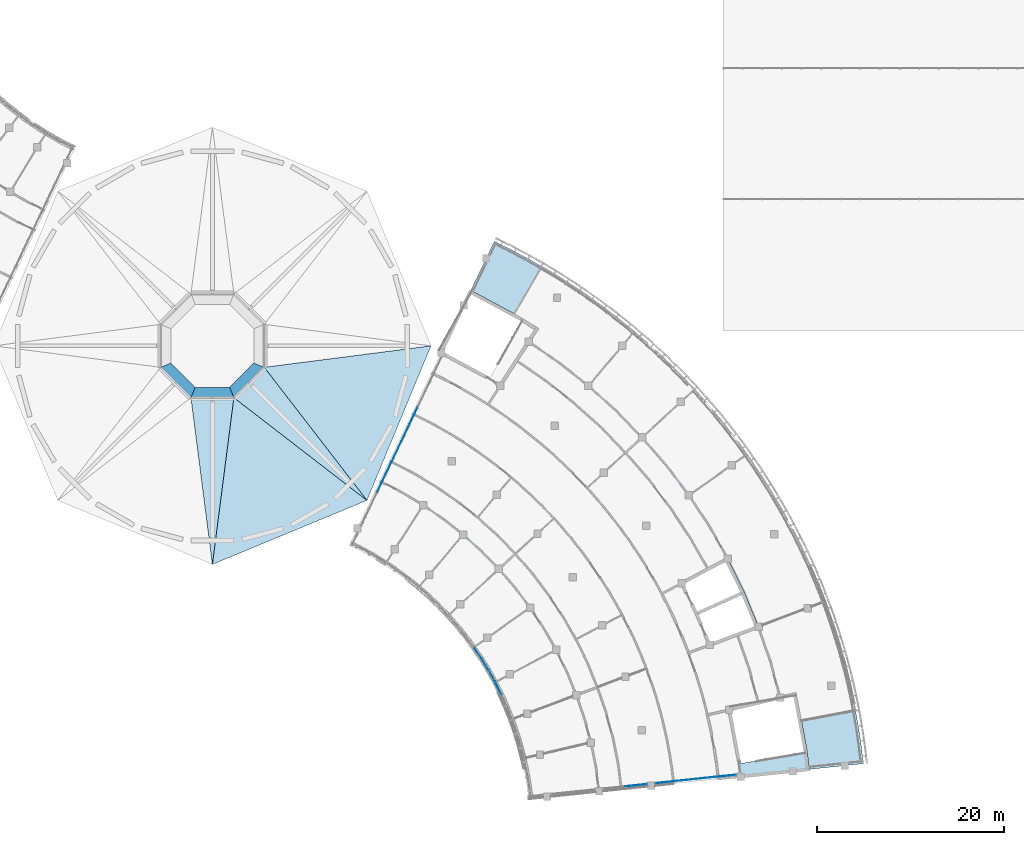
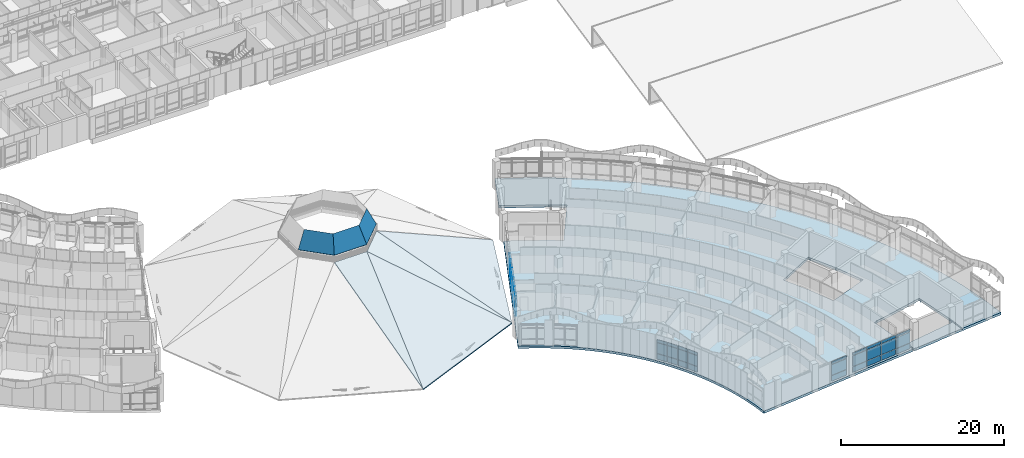
# One storey, part 50 of 137: 44 plates, 6 slabs, 5 elements without a shape of their own.
"""IFC4 building model written with IfcOpenShell, lengths in metres."""

from ifc_helpers import new_model, si_unit, direction, frame, origin, origin_2d, place, context, subcontext, project, spatial, polyline, rectangle, outline, extrude, material, layer, layer_set, type_object, element, aggregate, save


model = new_model("IFC4")

# Units and contexts
model_context = context("Model", 3, precision=1e-05, world=origin(), true_north=direction((0.0, 1.0)))
body_context = subcontext(model_context, "Body", "Model", "MODEL_VIEW")
ifc_project = project(units=[si_unit("LENGTHUNIT", "METRE"), si_unit("AREAUNIT", "SQUARE_METRE"), si_unit("VOLUMEUNIT", "CUBIC_METRE"), si_unit("PLANEANGLEUNIT", "RADIAN"), si_unit("MASSUNIT", "GRAM", prefix="KILO")], contexts=[model_context])

# Site, building, storey
site_placement = place(None, origin())
site = spatial("IfcSite", under=ifc_project, at=site_placement, CompositionType="ELEMENT")
building_placement = place(site_placement, origin())
building = spatial("IfcBuilding", under=site, at=building_placement, Name="Bougainvillea Quay General Hospital", CompositionType="ELEMENT")
storey_placement = place(building_placement, frame((0.0, 0.0, 16.800048828125)))
storey = spatial("IfcBuildingStorey", under=building, at=storey_placement, Name="L03", CompositionType="ELEMENT", Elevation=16.800048828125)

# Curtain wall, plates
ifc_material_1 = material(Name="Aluminium curtain wall system, powder-coated glazed", Category="aluminium")
curtain_wall_type_1 = type_object("IfcCurtainWallType", Name="Unitised curtain wall CW-1997", PredefinedType="NOTDEFINED", material=ifc_material_1)
curtain_wall_1_placement = place(storey_placement, origin())
curtain_wall_1 = element("IfcCurtainWall", 1, at=curtain_wall_1_placement, inside=storey, type_object=curtain_wall_type_1, Name="CW-AE 02", PredefinedType="NOTDEFINED")
ifc_material_2 = material(Name="Insulated aluminium spandrel panel, white", Category="aluminium")
ifc_layer_1 = layer(ifc_material_2, 0.028076171875)
ifc_layer_set_1 = layer_set([ifc_layer_1], Name="Insulated aluminium spandrel panel, white")
plate_type_1 = type_object("IfcPlateType", Name="Insulated spandrel panel white 28", PredefinedType="CURTAIN_PANEL", material=ifc_layer_set_1)
plate_1_placement = place(storey_placement, frame((130.690185546875, 66.474609375, 0.059814453125), z_axis=(0.0, 0.0, 1.0), x_axis=(-0.430525444112, -0.902578440897, 0.0)))
plate_1 = element("IfcPlate", 2, at=plate_1_placement, type_object=plate_type_1, Name="CW-AE spandrel panel 4.1", PredefinedType="CURTAIN_PANEL", context=body_context, shape_type="SweptSolid", body=[
    extrude(rectangle(XDim=1.93603515625, YDim=0.028076171875, at=origin_2d()), origin(), (0.0, 0.0, 1.0), 0.81005859375),
])
plate_2_placement = place(storey_placement, frame((129.830810546875, 64.673095703125, 0.059814453125), z_axis=(0.0, 0.0, 1.0), x_axis=(-0.430525444112, -0.902578440897, 0.0)))
plate_2 = element("IfcPlate", 3, at=plate_2_placement, type_object=plate_type_1, Name="CW-AE spandrel panel 5.1", PredefinedType="CURTAIN_PANEL", context=body_context, shape_type="SweptSolid", body=[
    extrude(rectangle(XDim=1.93603515625, YDim=0.028076171875, at=origin_2d()), origin(), (0.0, 0.0, 1.0), 0.81005859375),
])
plate_3_placement = place(storey_placement, frame((129.830810546875, 64.673095703125, 2.580078125), z_axis=(0.0, 0.0, 1.0), x_axis=(-0.430525444112, -0.902578440897, 0.0)))
plate_3 = element("IfcPlate", 4, at=plate_3_placement, type_object=plate_type_1, Name="CW-AE spandrel panel 5.3", PredefinedType="CURTAIN_PANEL", context=body_context, shape_type="SweptSolid", body=[
    extrude(rectangle(XDim=1.93603515625, YDim=0.028076171875, at=origin_2d()), origin(), (0.0, 0.0, 1.0), 0.409912109375),
])
plate_4_placement = place(storey_placement, frame((128.971435546875, 62.87158203125, 0.059814453125), z_axis=(0.0, 0.0, 1.0), x_axis=(-0.430525444112, -0.902578440897, 0.0)))
plate_4 = element("IfcPlate", 5, at=plate_4_placement, type_object=plate_type_1, Name="CW-AE spandrel panel 6.1", PredefinedType="CURTAIN_PANEL", context=body_context, shape_type="SweptSolid", body=[
    extrude(rectangle(XDim=1.93603515625, YDim=0.028076171875, at=origin_2d()), origin(), (0.0, 0.0, 1.0), 0.81005859375),
])
plate_5_placement = place(storey_placement, frame((128.971435546875, 62.87158203125, 2.580078125), z_axis=(0.0, 0.0, 1.0), x_axis=(-0.430525444112, -0.902578440897, 0.0)))
plate_5 = element("IfcPlate", 6, at=plate_5_placement, type_object=plate_type_1, Name="CW-AE spandrel panel 6.3", PredefinedType="CURTAIN_PANEL", context=body_context, shape_type="SweptSolid", body=[
    extrude(rectangle(XDim=1.93603515625, YDim=0.028076171875, at=origin_2d()), origin(), (0.0, 0.0, 1.0), 0.409912109375),
])
plate_6_placement = place(storey_placement, frame((128.112060546875, 61.070068359375, 0.059814453125), z_axis=(0.0, 0.0, 1.0), x_axis=(-0.430525444112, -0.902578440897, 0.0)))
plate_6 = element("IfcPlate", 7, at=plate_6_placement, type_object=plate_type_1, Name="CW-AE spandrel panel 7.1", PredefinedType="CURTAIN_PANEL", context=body_context, shape_type="SweptSolid", body=[
    extrude(rectangle(XDim=1.93603515625, YDim=0.028076171875, at=origin_2d()), origin(), (0.0, 0.0, 1.0), 0.81005859375),
])
plate_7_placement = place(storey_placement, frame((128.112060546875, 61.070068359375, 2.580078125), z_axis=(0.0, 0.0, 1.0), x_axis=(-0.430525444112, -0.902578440897, 0.0)))
plate_7 = element("IfcPlate", 8, at=plate_7_placement, type_object=plate_type_1, Name="CW-AE spandrel panel 7.3", PredefinedType="CURTAIN_PANEL", context=body_context, shape_type="SweptSolid", body=[
    extrude(rectangle(XDim=1.93603515625, YDim=0.028076171875, at=origin_2d()), origin(), (0.0, 0.0, 1.0), 0.409912109375),
])
plate_8_placement = place(storey_placement, frame((127.252685546875, 59.268310546875, 0.059814453125), z_axis=(0.0, 0.0, 1.0), x_axis=(-0.430525444112, -0.902578440897, 0.0)))
plate_8 = element("IfcPlate", 9, at=plate_8_placement, type_object=plate_type_1, Name="CW-AE spandrel panel 8.1", PredefinedType="CURTAIN_PANEL", context=body_context, shape_type="SweptSolid", body=[
    extrude(rectangle(XDim=1.93603515625, YDim=0.028076171875, at=origin_2d()), origin(), (0.0, 0.0, 1.0), 0.81005859375),
])
plate_9_placement = place(storey_placement, frame((127.252685546875, 59.268310546875, 2.580078125), z_axis=(0.0, 0.0, 1.0), x_axis=(-0.430525444112, -0.902578440897, 0.0)))
plate_9 = element("IfcPlate", 10, at=plate_9_placement, type_object=plate_type_1, Name="CW-AE spandrel panel 8.3", PredefinedType="CURTAIN_PANEL", context=body_context, shape_type="SweptSolid", body=[
    extrude(rectangle(XDim=1.93603515625, YDim=0.028076171875, at=origin_2d()), origin(), (0.0, 0.0, 1.0), 0.409912109375),
])

curtain_wall_type_2 = type_object("IfcCurtainWallType", Name="Unitised curtain wall CW-2100", PredefinedType="NOTDEFINED", material=ifc_material_1)
curtain_wall_2_placement = place(storey_placement, origin())
curtain_wall_2 = element("IfcCurtainWall", 11, at=curtain_wall_2_placement, inside=storey, type_object=curtain_wall_type_2, Name="CW-E05 a12b4", PredefinedType="NOTDEFINED")
plate_10_placement = place(storey_placement, frame((137.585205078125, 41.152099609375, 0.059814453125), z_axis=(0.0, 0.0, 1.0), x_axis=(0.559675123314, -0.828712107033, 0.0)))
plate_10 = element("IfcPlate", 12, at=plate_10_placement, type_object=plate_type_1, Name="CW-E05 spandrel panel 1.1", PredefinedType="CURTAIN_PANEL", context=body_context, shape_type="SweptSolid", body=[
    extrude(rectangle(XDim=1.366943359375, YDim=0.028076171875, at=origin_2d()), origin(), (0.0, 0.0, 1.0), 0.81005859375),
])
plate_11_placement = place(storey_placement, frame((137.585205078125, 41.152099609375, 2.580078125), z_axis=(0.0, 0.0, 1.0), x_axis=(0.559675123314, -0.828712107033, 0.0)))
plate_11 = element("IfcPlate", 13, at=plate_11_placement, type_object=plate_type_1, Name="CW-E05 spandrel panel 1.3", PredefinedType="CURTAIN_PANEL", context=body_context, shape_type="SweptSolid", body=[
    extrude(rectangle(XDim=1.366943359375, YDim=0.028076171875, at=origin_2d()), origin(), (0.0, 0.0, 1.0), 0.409912109375),
])
plate_12_placement = place(storey_placement, frame((138.3662109375, 39.9404296875, 0.059814453125), z_axis=(0.0, 0.0, 1.0), x_axis=(0.523926442936, -0.851763513185, 0.0)))
plate_12 = element("IfcPlate", 14, at=plate_12_placement, type_object=plate_type_1, Name="CW-E05 spandrel panel 2.1", PredefinedType="CURTAIN_PANEL", context=body_context, shape_type="SweptSolid", body=[
    extrude(rectangle(XDim=1.39697265625, YDim=0.028076171875, at=origin_2d()), origin(), (0.0, 0.0, 1.0), 0.81005859375),
])
plate_13_placement = place(storey_placement, frame((138.3662109375, 39.9404296875, 2.580078125), z_axis=(0.0, 0.0, 1.0), x_axis=(0.523926442936, -0.851763513185, 0.0)))
plate_13 = element("IfcPlate", 15, at=plate_13_placement, type_object=plate_type_1, Name="CW-E05 spandrel panel 2.3", PredefinedType="CURTAIN_PANEL", context=body_context, shape_type="SweptSolid", body=[
    extrude(rectangle(XDim=1.39697265625, YDim=0.028076171875, at=origin_2d()), origin(), (0.0, 0.0, 1.0), 0.409912109375),
])
plate_14_placement = place(storey_placement, frame((139.095458984375, 38.697021484375, 0.059814453125), z_axis=(0.0, 0.0, 1.0), x_axis=(0.487229803858, -0.873273793396, 0.0)))
plate_14 = element("IfcPlate", 16, at=plate_14_placement, type_object=plate_type_1, Name="CW-E05 spandrel panel 3.1", PredefinedType="CURTAIN_PANEL", context=body_context, shape_type="SweptSolid", body=[
    extrude(rectangle(XDim=1.366943359375, YDim=0.028076171875, at=origin_2d()), origin(), (0.0, 0.0, 1.0), 0.81005859375),
])
plate_15_placement = place(storey_placement, frame((139.095458984375, 38.697021484375, 2.580078125), z_axis=(0.0, 0.0, 1.0), x_axis=(0.487229803858, -0.873273793396, 0.0)))
plate_15 = element("IfcPlate", 17, at=plate_15_placement, type_object=plate_type_1, Name="CW-E05 spandrel panel 3.3", PredefinedType="CURTAIN_PANEL", context=body_context, shape_type="SweptSolid", body=[
    extrude(rectangle(XDim=1.366943359375, YDim=0.028076171875, at=origin_2d()), origin(), (0.0, 0.0, 1.0), 0.409912109375),
])

curtain_wall_3_placement = place(storey_placement, origin())
curtain_wall_3 = element("IfcCurtainWall", 18, at=curtain_wall_3_placement, inside=storey, type_object=curtain_wall_type_2, Name="CW-E06 a12b5", PredefinedType="NOTDEFINED")
plate_16_placement = place(storey_placement, frame((139.7919921875, 37.383544921875, 0.059814453125), z_axis=(0.0, 0.0, 1.0), x_axis=(0.449651602597, -0.893204028362, 0.0)))
plate_16 = element("IfcPlate", 19, at=plate_16_placement, type_object=plate_type_1, Name="CW-E06 spandrel panel 1.1", PredefinedType="CURTAIN_PANEL", context=body_context, shape_type="SweptSolid", body=[
    extrude(rectangle(XDim=1.366943359375, YDim=0.028076171875, at=origin_2d()), origin(), (0.0, 0.0, 1.0), 0.81005859375),
])
plate_17_placement = place(storey_placement, frame((139.7919921875, 37.383544921875, 2.580078125), z_axis=(0.0, 0.0, 1.0), x_axis=(0.449651602597, -0.893204028362, 0.0)))
plate_17 = element("IfcPlate", 20, at=plate_17_placement, type_object=plate_type_1, Name="CW-E06 spandrel panel 1.3", PredefinedType="CURTAIN_PANEL", context=body_context, shape_type="SweptSolid", body=[
    extrude(rectangle(XDim=1.366943359375, YDim=0.028076171875, at=origin_2d()), origin(), (0.0, 0.0, 1.0), 0.409912109375),
])

curtain_wall_type_3 = type_object("IfcCurtainWallType", Name="Unitised curtain wall CW-2380", PredefinedType="NOTDEFINED", material=ifc_material_1)
curtain_wall_4_placement = place(storey_placement, origin())
curtain_wall_4 = element("IfcCurtainWall", 21, at=curtain_wall_4_placement, inside=storey, type_object=curtain_wall_type_3, Name="CW-AE 02", PredefinedType="NOTDEFINED")
plate_18_placement = place(storey_placement, frame((154.499267578125, 27.012451171875, 0.059814453125), z_axis=(0.0, 0.0, 1.0), x_axis=(0.9945220309, 0.104527173765, 0.0)))
plate_18 = element("IfcPlate", 22, at=plate_18_placement, type_object=plate_type_1, Name="CW-AE spandrel panel 2.1", PredefinedType="CURTAIN_PANEL", context=body_context, shape_type="SweptSolid", body=[
    extrude(rectangle(XDim=2.289794921875, YDim=0.028076171875, at=origin_2d()), origin(), (0.0, 0.0, 1.0), 0.81005859375),
])
plate_19_placement = place(storey_placement, frame((154.499267578125, 27.012451171875, 2.580078125), z_axis=(0.0, 0.0, 1.0), x_axis=(0.9945220309, 0.104527173765, 0.0)))
plate_19 = element("IfcPlate", 23, at=plate_19_placement, type_object=plate_type_1, Name="CW-AE spandrel panel 2.3", PredefinedType="CURTAIN_PANEL", context=body_context, shape_type="SweptSolid", body=[
    extrude(rectangle(XDim=2.289794921875, YDim=0.028076171875, at=origin_2d()), origin(), (0.0, 0.0, 1.0), 0.409912109375),
])

curtain_wall_type_4 = type_object("IfcCurtainWallType", Name="Unitised curtain wall CW-2190", PredefinedType="NOTDEFINED", material=ifc_material_1)
curtain_wall_5_placement = place(storey_placement, origin())
curtain_wall_5 = element("IfcCurtainWall", 24, at=curtain_wall_5_placement, inside=storey, type_object=curtain_wall_type_4, Name="CW-AE 03", PredefinedType="NOTDEFINED")
plate_20_placement = place(storey_placement, frame((157.63671875, 27.34228515625, 0.059814453125), z_axis=(0.0, 0.0, 1.0), x_axis=(0.9945220309, 0.104527173765, 0.0)))
plate_20 = element("IfcPlate", 25, at=plate_20_placement, type_object=plate_type_1, Name="CW-AE spandrel panel 1.1", PredefinedType="CURTAIN_PANEL", context=body_context, shape_type="SweptSolid", body=[
    extrude(rectangle(XDim=2.099853515625, YDim=0.028076171875, at=origin_2d()), origin(), (0.0, 0.0, 1.0), 0.81005859375),
])
plate_21_placement = place(storey_placement, frame((157.63671875, 27.34228515625, 2.580078125), z_axis=(0.0, 0.0, 1.0), x_axis=(0.9945220309, 0.104527173765, 0.0)))
plate_21 = element("IfcPlate", 26, at=plate_21_placement, type_object=plate_type_1, Name="CW-AE spandrel panel 1.3", PredefinedType="CURTAIN_PANEL", context=body_context, shape_type="SweptSolid", body=[
    extrude(rectangle(XDim=2.099853515625, YDim=0.028076171875, at=origin_2d()), origin(), (0.0, 0.0, 1.0), 0.409912109375),
])
plate_22_placement = place(storey_placement, frame((159.7998046875, 27.569580078125, 0.059814453125), z_axis=(0.0, 0.0, 1.0), x_axis=(0.9945220309, 0.104527173765, 0.0)))
plate_22 = element("IfcPlate", 27, at=plate_22_placement, type_object=plate_type_1, Name="CW-AE spandrel panel 2.1", PredefinedType="CURTAIN_PANEL", context=body_context, shape_type="SweptSolid", body=[
    extrude(rectangle(XDim=2.1298828125, YDim=0.028076171875, at=origin_2d()), origin(), (0.0, 0.0, 1.0), 0.81005859375),
])
plate_23_placement = place(storey_placement, frame((159.7998046875, 27.569580078125, 2.580078125), z_axis=(0.0, 0.0, 1.0), x_axis=(0.9945220309, 0.104527173765, 0.0)))
plate_23 = element("IfcPlate", 28, at=plate_23_placement, type_object=plate_type_1, Name="CW-AE spandrel panel 2.3", PredefinedType="CURTAIN_PANEL", context=body_context, shape_type="SweptSolid", body=[
    extrude(rectangle(XDim=2.1298828125, YDim=0.028076171875, at=origin_2d()), origin(), (0.0, 0.0, 1.0), 0.409912109375),
])
plate_24_placement = place(storey_placement, frame((161.977783203125, 27.798583984375, 0.059814453125), z_axis=(0.0, 0.0, 1.0), x_axis=(0.9945220309, 0.104527173765, 0.0)))
plate_24 = element("IfcPlate", 29, at=plate_24_placement, type_object=plate_type_1, Name="CW-AE spandrel panel 3.1", PredefinedType="CURTAIN_PANEL", context=body_context, shape_type="SweptSolid", body=[
    extrude(rectangle(XDim=2.1298828125, YDim=0.028076171875, at=origin_2d()), origin(), (0.0, 0.0, 1.0), 0.81005859375),
])
plate_25_placement = place(storey_placement, frame((161.977783203125, 27.798583984375, 2.580078125), z_axis=(0.0, 0.0, 1.0), x_axis=(0.9945220309, 0.104527173765, 0.0)))
plate_25 = element("IfcPlate", 30, at=plate_25_placement, type_object=plate_type_1, Name="CW-AE spandrel panel 3.3", PredefinedType="CURTAIN_PANEL", context=body_context, shape_type="SweptSolid", body=[
    extrude(rectangle(XDim=2.1298828125, YDim=0.028076171875, at=origin_2d()), origin(), (0.0, 0.0, 1.0), 0.409912109375),
])
plate_26_placement = place(storey_placement, frame((164.140625, 28.02587890625, 0.059814453125), z_axis=(0.0, 0.0, 1.0), x_axis=(0.9945220309, 0.104527173765, 0.0)))
plate_26 = element("IfcPlate", 31, at=plate_26_placement, type_object=plate_type_1, Name="CW-AE spandrel panel 4.1", PredefinedType="CURTAIN_PANEL", context=body_context, shape_type="SweptSolid", body=[
    extrude(rectangle(XDim=2.099853515625, YDim=0.028076171875, at=origin_2d()), origin(), (0.0, 0.0, 1.0), 0.81005859375),
])
plate_27_placement = place(storey_placement, frame((164.140625, 28.02587890625, 2.580078125), z_axis=(0.0, 0.0, 1.0), x_axis=(0.9945220309, 0.104527173765, 0.0)))
plate_27 = element("IfcPlate", 32, at=plate_27_placement, type_object=plate_type_1, Name="CW-AE spandrel panel 4.3", PredefinedType="CURTAIN_PANEL", context=body_context, shape_type="SweptSolid", body=[
    extrude(rectangle(XDim=2.099853515625, YDim=0.028076171875, at=origin_2d()), origin(), (0.0, 0.0, 1.0), 0.409912109375),
])

# Plates
ifc_material_3 = material(Name="Low-e laminated glass, solar control", Category="glass")
ifc_layer_2 = layer(ifc_material_3, 0.030029296875)
ifc_layer_set_2 = layer_set([ifc_layer_2], Name="Low-e laminated glass, solar control")
plate_type_2 = type_object("IfcPlateType", Name="Lantern glass facet 30", PredefinedType="SHEET", material=ifc_layer_set_2)
plate_28_placement = place(storey_placement, frame((103.656982421875, 71.7041015625, 10.0), z_axis=(-0.641917296065, -0.641944110773, 0.419344659746), x_axis=(0.707118952619, -0.7070946095, -7.951136e-06)))
element("IfcPlate", 33, at=plate_28_placement, inside=storey, type_object=plate_type_2, Name="Lantern glazing 5", PredefinedType="SHEET", context=body_context, shape_type="SweptSolid", body=[
    extrude(outline(polyline([(0.0, 0.0), (4.59205087309109, 0.0), (4.132845787267798, 2.643603816138966), (0.4593777193148235, 2.6435314232061984), (0.0, 0.0)])), origin(), (7.951136e-06, -0.907827107042, -0.419344659746), 0.030029296875),
])
plate_29_placement = place(storey_placement, frame((106.904052734375, 68.45703125, 10.0), z_axis=(0.0, -0.907816073866, 0.419368544397), x_axis=(1.0, 0.0, 0.0)))
element("IfcPlate", 34, at=plate_29_placement, inside=storey, type_object=plate_type_2, Name="Lantern glazing 6", PredefinedType="SHEET", context=body_context, shape_type="SweptSolid", body=[
    extrude(outline(polyline([(0.0, 0.0), (4.592041015625, 0.0), (4.1328125, 2.643599747610895), (0.459228515625, 2.643599747610895), (0.0, 0.0)])), origin(), (0.0, -0.907816073866, -0.419368544397), 0.030029296875),
])
plate_30_placement = place(storey_placement, frame((111.49609375, 68.45703125, 10.0), z_axis=(0.641939492683, -0.641939492683, 0.419317750002), x_axis=(0.707102106911, 0.707111455287, 1.4311562e-05)))
element("IfcPlate", 35, at=plate_30_placement, inside=storey, type_object=plate_type_2, Name="Lantern glazing 7", PredefinedType="SHEET", context=body_context, shape_type="SweptSolid", body=[
    extrude(outline(polyline([(0.0, 0.0), (4.591878240995623, -1.1102230246251565e-16), (4.132714826253799, 2.6434662748527162), (0.4592467622096829, 2.6435965732254223), (0.0, 0.0)])), origin(), (-1.4311562e-05, -0.907839536663, -0.419317750002), 0.030029296875),
])

# Plate
ifc_layer_3 = layer(ifc_material_3, 0.028076171875)
ifc_layer_set_3 = layer_set([ifc_layer_3], Name="Low-e laminated glass, solar control")
plate_type_3 = type_object("IfcPlateType", Name="Low-e laminated vision glass 28", PredefinedType="CURTAIN_PANEL", material=ifc_layer_set_3)
plate_31_placement = place(storey_placement, frame((130.690185546875, 66.474609375, 0.9296875), z_axis=(0.0, 0.0, 1.0), x_axis=(-0.430525444112, -0.902578440897, 0.0)))
plate_31 = element("IfcPlate", 36, at=plate_31_placement, type_object=plate_type_3, Name="CW-AE vision glass panel 4.2", PredefinedType="CURTAIN_PANEL", context=body_context, shape_type="SweptSolid", body=[
    extrude(rectangle(XDim=1.93603515625, YDim=0.028076171875, at=origin_2d()), origin(), (0.0, 0.0, 1.0), 1.590087890625),
])

plate_32_placement = place(storey_placement, frame((129.830810546875, 64.673095703125, 0.9296875), z_axis=(0.0, 0.0, 1.0), x_axis=(-0.430525444112, -0.902578440897, 0.0)))
plate_32 = element("IfcPlate", 37, at=plate_32_placement, type_object=plate_type_3, Name="CW-AE vision glass panel 5.2", PredefinedType="CURTAIN_PANEL", context=body_context, shape_type="SweptSolid", body=[
    extrude(rectangle(XDim=1.93603515625, YDim=0.028076171875, at=origin_2d()), origin(), (0.0, 0.0, 1.0), 1.590087890625),
])

plate_33_placement = place(storey_placement, frame((128.971435546875, 62.87158203125, 0.9296875), z_axis=(0.0, 0.0, 1.0), x_axis=(-0.430525444112, -0.902578440897, 0.0)))
plate_33 = element("IfcPlate", 38, at=plate_33_placement, type_object=plate_type_3, Name="CW-AE vision glass panel 6.2", PredefinedType="CURTAIN_PANEL", context=body_context, shape_type="SweptSolid", body=[
    extrude(rectangle(XDim=1.93603515625, YDim=0.028076171875, at=origin_2d()), origin(), (0.0, 0.0, 1.0), 1.590087890625),
])

plate_34_placement = place(storey_placement, frame((128.112060546875, 61.070068359375, 0.9296875), z_axis=(0.0, 0.0, 1.0), x_axis=(-0.430525444112, -0.902578440897, 0.0)))
plate_34 = element("IfcPlate", 39, at=plate_34_placement, type_object=plate_type_3, Name="CW-AE vision glass panel 7.2", PredefinedType="CURTAIN_PANEL", context=body_context, shape_type="SweptSolid", body=[
    extrude(rectangle(XDim=1.93603515625, YDim=0.028076171875, at=origin_2d()), origin(), (0.0, 0.0, 1.0), 1.590087890625),
])

plate_35_placement = place(storey_placement, frame((127.252685546875, 59.268310546875, 0.9296875), z_axis=(0.0, 0.0, 1.0), x_axis=(-0.430525444112, -0.902578440897, 0.0)))
plate_35 = element("IfcPlate", 40, at=plate_35_placement, type_object=plate_type_3, Name="CW-AE vision glass panel 8.2", PredefinedType="CURTAIN_PANEL", context=body_context, shape_type="SweptSolid", body=[
    extrude(rectangle(XDim=1.93603515625, YDim=0.028076171875, at=origin_2d()), origin(), (0.0, 0.0, 1.0), 1.590087890625),
])

aggregate(curtain_wall_1, [plate_1, plate_31, plate_2, plate_32, plate_3, plate_4, plate_33, plate_5, plate_6, plate_34, plate_7, plate_8, plate_35, plate_9])

plate_36_placement = place(storey_placement, frame((137.585205078125, 41.152099609375, 0.9296875), z_axis=(0.0, 0.0, 1.0), x_axis=(0.559675123314, -0.828712107033, 0.0)))
plate_36 = element("IfcPlate", 41, at=plate_36_placement, type_object=plate_type_3, Name="CW-E05 vision glass panel 1.2", PredefinedType="CURTAIN_PANEL", context=body_context, shape_type="SweptSolid", body=[
    extrude(rectangle(XDim=1.366943359375, YDim=0.028076171875, at=origin_2d()), origin(), (0.0, 0.0, 1.0), 1.590087890625),
])

plate_37_placement = place(storey_placement, frame((138.3662109375, 39.9404296875, 0.9296875), z_axis=(0.0, 0.0, 1.0), x_axis=(0.523926442936, -0.851763513185, 0.0)))
plate_37 = element("IfcPlate", 42, at=plate_37_placement, type_object=plate_type_3, Name="CW-E05 vision glass panel 2.2", PredefinedType="CURTAIN_PANEL", context=body_context, shape_type="SweptSolid", body=[
    extrude(rectangle(XDim=1.39697265625, YDim=0.028076171875, at=origin_2d()), origin(), (0.0, 0.0, 1.0), 1.590087890625),
])

plate_38_placement = place(storey_placement, frame((139.095458984375, 38.697021484375, 0.9296875), z_axis=(0.0, 0.0, 1.0), x_axis=(0.487229803858, -0.873273793396, 0.0)))
plate_38 = element("IfcPlate", 43, at=plate_38_placement, type_object=plate_type_3, Name="CW-E05 vision glass panel 3.2", PredefinedType="CURTAIN_PANEL", context=body_context, shape_type="SweptSolid", body=[
    extrude(rectangle(XDim=1.366943359375, YDim=0.028076171875, at=origin_2d()), origin(), (0.0, 0.0, 1.0), 1.590087890625),
])

aggregate(curtain_wall_2, [plate_10, plate_36, plate_11, plate_12, plate_37, plate_13, plate_14, plate_38, plate_15])

plate_39_placement = place(storey_placement, frame((139.7919921875, 37.383544921875, 0.9296875), z_axis=(0.0, 0.0, 1.0), x_axis=(0.449651602597, -0.893204028362, 0.0)))
plate_39 = element("IfcPlate", 44, at=plate_39_placement, type_object=plate_type_3, Name="CW-E06 vision glass panel 1.2", PredefinedType="CURTAIN_PANEL", context=body_context, shape_type="SweptSolid", body=[
    extrude(rectangle(XDim=1.366943359375, YDim=0.028076171875, at=origin_2d()), origin(), (0.0, 0.0, 1.0), 1.590087890625),
])

aggregate(curtain_wall_3, [plate_16, plate_39, plate_17])

plate_40_placement = place(storey_placement, frame((154.499267578125, 27.012451171875, 0.9296875), z_axis=(0.0, 0.0, 1.0), x_axis=(0.9945220309, 0.104527173765, 0.0)))
plate_40 = element("IfcPlate", 45, at=plate_40_placement, type_object=plate_type_3, Name="CW-AE vision glass panel 2.2", PredefinedType="CURTAIN_PANEL", context=body_context, shape_type="SweptSolid", body=[
    extrude(rectangle(XDim=2.289794921875, YDim=0.028076171875, at=origin_2d()), origin(), (0.0, 0.0, 1.0), 1.590087890625),
])

aggregate(curtain_wall_4, [plate_18, plate_40, plate_19])

plate_41_placement = place(storey_placement, frame((157.63671875, 27.34228515625, 0.9296875), z_axis=(0.0, 0.0, 1.0), x_axis=(0.9945220309, 0.104527173765, 0.0)))
plate_41 = element("IfcPlate", 46, at=plate_41_placement, type_object=plate_type_3, Name="CW-AE vision glass panel 1.2", PredefinedType="CURTAIN_PANEL", context=body_context, shape_type="SweptSolid", body=[
    extrude(rectangle(XDim=2.099853515625, YDim=0.028076171875, at=origin_2d()), origin(), (0.0, 0.0, 1.0), 1.590087890625),
])

plate_42_placement = place(storey_placement, frame((159.7998046875, 27.569580078125, 0.9296875), z_axis=(0.0, 0.0, 1.0), x_axis=(0.9945220309, 0.104527173765, 0.0)))
plate_42 = element("IfcPlate", 47, at=plate_42_placement, type_object=plate_type_3, Name="CW-AE vision glass panel 2.2", PredefinedType="CURTAIN_PANEL", context=body_context, shape_type="SweptSolid", body=[
    extrude(rectangle(XDim=2.1298828125, YDim=0.028076171875, at=origin_2d()), origin(), (0.0, 0.0, 1.0), 1.590087890625),
])

plate_43_placement = place(storey_placement, frame((161.977783203125, 27.798583984375, 0.9296875), z_axis=(0.0, 0.0, 1.0), x_axis=(0.9945220309, 0.104527173765, 0.0)))
plate_43 = element("IfcPlate", 48, at=plate_43_placement, type_object=plate_type_3, Name="CW-AE vision glass panel 3.2", PredefinedType="CURTAIN_PANEL", context=body_context, shape_type="SweptSolid", body=[
    extrude(rectangle(XDim=2.1298828125, YDim=0.028076171875, at=origin_2d()), origin(), (0.0, 0.0, 1.0), 1.590087890625),
])

plate_44_placement = place(storey_placement, frame((164.140625, 28.02587890625, 0.9296875), z_axis=(0.0, 0.0, 1.0), x_axis=(0.9945220309, 0.104527173765, 0.0)))
plate_44 = element("IfcPlate", 49, at=plate_44_placement, type_object=plate_type_3, Name="CW-AE vision glass panel 4.2", PredefinedType="CURTAIN_PANEL", context=body_context, shape_type="SweptSolid", body=[
    extrude(rectangle(XDim=2.099853515625, YDim=0.028076171875, at=origin_2d()), origin(), (0.0, 0.0, 1.0), 1.590087890625),
])

aggregate(curtain_wall_5, [plate_20, plate_41, plate_21, plate_22, plate_42, plate_23, plate_24, plate_43, plate_25, plate_26, plate_44, plate_27])

# Slabs
ifc_material_4 = material(Name="Concrete C35", Category="concrete")
ifc_layer_4 = layer(ifc_material_4, 0.35009765625)
ifc_layer_set_4 = layer_set([ifc_layer_4], Name="Concrete C35")
slab_type_1 = type_object("IfcSlabType", Name="RC FLAT SLAB 350 C35", PredefinedType="FLOOR", material=ifc_layer_set_4)
slab_1_placement = place(storey_placement, frame((0.0, 0.0, -0.35009765625)))
element("IfcSlab", 50, at=slab_1_placement, inside=storey, type_object=slab_type_1, Name="Slab S4 L03", PredefinedType="FLOOR", context=body_context, shape_type="SweptSolid", body=[
    extrude(outline(polyline([(163.072021484375, 66.697021484375), (164.428955078125, 65.009033203125), (165.73291015625, 63.280029296875), (166.98291015625, 61.510986328125), (168.177978515625, 59.705078125), (169.31591796875, 57.862060546875), (170.39599609375, 55.985107421875), (171.41796875, 54.075927734375), (172.381103515625, 52.135986328125), (173.282958984375, 50.1669921875), (174.1240234375, 48.1708984375), (174.902099609375, 46.14990234375), (175.617919921875, 44.10595703125), (176.27001953125, 42.041015625), (176.85791015625, 39.9560546875), (177.381103515625, 37.85498046875), (177.839111328125, 35.738037109375), (178.23095703125, 33.60791015625), (178.556884765625, 31.467041015625), (178.81689453125, 29.31689453125), (173.0234375, 28.7080078125), (173.004638671875, 28.88623046875), (172.829345703125, 28.867919921875), (173.001708984375, 28.888916015625), (172.77734375, 30.736572265625), (172.602783203125, 30.720947265625), (172.77392578125, 30.758544921875), (171.68310546875, 36.60107421875), (171.5166015625, 36.570068359375), (171.689697265625, 36.611083984375), (171.60888671875, 36.95166015625), (165.947021484375, 35.61083984375), (164.685302734375, 35.396240234375), (164.698974609375, 35.3154296875), (164.262451171875, 35.2119140625), (164.337158203125, 34.878662109375), (165.296875, 29.71337890625), (165.514404296875, 27.9189453125), (143.013916015625, 25.553955078125), (142.887939453125, 26.597900390625), (142.72900390625, 27.637939453125), (142.5390625, 28.673095703125), (142.31591796875, 29.700927734375), (142.06201171875, 30.721923828125), (141.777099609375, 31.73388671875), (141.4599609375, 32.737060546875), (141.112060546875, 33.72998046875), (140.73388671875, 34.7119140625), (140.325927734375, 35.680908203125), (139.887939453125, 36.636962890625), (139.419921875, 37.580078125), (138.924072265625, 38.507080078125), (138.39892578125, 39.4189453125), (137.845947265625, 40.31396484375), (137.26611328125, 41.19091796875), (136.658935546875, 42.050048828125), (136.02587890625, 42.889892578125), (135.365966796875, 43.7099609375), (134.681884765625, 44.509033203125), (133.97412109375, 45.285888671875), (133.241943359375, 46.0419921875), (132.486083984375, 46.77392578125), (131.708984375, 47.48193359375), (130.909912109375, 48.166015625), (130.090087890625, 48.825927734375), (129.25, 49.458984375), (128.39111328125, 50.06591796875), (127.513916015625, 50.64599609375), (126.618896484375, 51.198974609375), (125.70703125, 51.72412109375), (124.780029296875, 52.219970703125), (123.8369140625, 52.68798828125), (133.57763671875, 73.10888671875), (133.726318359375, 73.03369140625), (138.353271484375, 70.54345703125), (140.03515625, 69.4970703125), (140.2197265625, 69.791015625), (144.122802734375, 75.84130859375), (143.828857421875, 76.031005859375), (143.733154296875, 75.8828125), (143.824951171875, 76.030029296875), (142.244140625, 77.013671875), (142.14697265625, 76.867919921875), (142.224853515625, 77.02490234375), (136.989990234375, 79.83642578125), (136.909912109375, 79.68701171875), (136.986328125, 79.84765625), (136.827880859375, 79.923095703125), (139.3359375, 85.180908203125), (141.27587890625, 84.218017578125), (143.18505859375, 83.196044921875), (145.06201171875, 82.115966796875), (146.905029296875, 80.97802734375), (148.7109375, 79.782958984375), (150.47998046875, 78.532958984375), (152.208984375, 77.22900390625), (153.89697265625, 75.8720703125), (155.5419921875, 74.464111328125), (157.14306640625, 73.0048828125), (158.697021484375, 71.4970703125), (160.205078125, 69.943115234375), (161.6640625, 68.342041015625), (163.072021484375, 66.697021484375)]), holes=[polyline([(162.132080078125, 42.10693359375), (162.255859375, 41.78564453125), (167.637451171875, 43.810791015625), (167.51416015625, 44.138427734375), (167.347900390625, 44.07568359375), (167.5068359375, 44.1416015625), (166.059814453125, 47.6416015625), (165.89599609375, 47.580078125), (166.05078125, 47.662109375), (164.384033203125, 51.063720703125), (164.2294921875, 50.988037109375), (164.38671875, 51.0712890625), (164.22265625, 51.380615234375), (159.142333984375, 48.685546875), (159.301513671875, 48.3798828125), (160.814453125, 45.2880859375), (162.132080078125, 42.10693359375)])]), origin(), (0.0, 0.0, 1.0), 0.35009765625),
])
slab_2_placement = place(storey_placement, frame((0.0, 0.0, -0.35009765625)))
element("IfcSlab", 51, at=slab_2_placement, inside=storey, type_object=slab_type_1, Name="Stair landing floor ST-E2 L03", PredefinedType="FLOOR", context=body_context, shape_type="SweptSolid", body=[
    extrude(outline(polyline([(169.1787109375, 28.2578125), (165.95751953125, 27.919189453125), (165.94921875, 27.968505859375), (165.68798828125, 27.94091796875), (165.469970703125, 29.739990234375), (165.448486328125, 29.879638671875), (165.501220703125, 29.902587890625), (165.55712890625, 29.9208984375), (165.61376953125, 29.93359375), (165.71484375, 29.341552734375), (172.57568359375, 30.5087890625), (172.47509765625, 31.10107421875), (172.53271484375, 31.10791015625), (172.54345703125, 31.108154296875), (172.60302734375, 30.720947265625), (172.7626953125, 29.406005859375), (172.8515625, 28.8828125), (172.82666015625, 28.87841796875), (172.84912109375, 28.694091796875), (169.952392578125, 28.389404296875), (169.1787109375, 28.2578125)])), origin(), (0.0, 0.0, 1.0), 0.35009765625),
])
ifc_material_5 = material(Name="Concrete C40", Category="concrete")
ifc_layer_5 = layer(ifc_material_5, 0.14990234375)
ifc_layer_set_5 = layer_set([ifc_layer_5], Name="Concrete C40")
slab_type_2 = type_object("IfcSlabType", Name="RC FOLDED ROOF PLATE 150 C40", PredefinedType="ROOF", material=ifc_layer_set_5)
slab_3_placement = place(storey_placement, frame((109.199951171875, 50.6201171875, -0.0400390625), z_axis=(0.0, -0.450475782911, 0.892788647447), x_axis=(-0.114164949243, 0.886951424039, 0.447530485844)))
element("IfcSlab", 52, at=slab_3_placement, inside=storey, type_object=slab_type_2, Name="Roof plate RP2-12", PredefinedType="ROOF", context=body_context, shape_type="SweptSolid", body=[
    extrude(outline(polyline([(0.0, 0.0), (20.110361829373563, 3.885780586188048e-16), (19.58611169990497, -4.5620173707401035), (0.0, 0.0)])), origin(), (-0.447530485844, 0.051428544891, -0.892788647447), 0.14990234375),
])
slab_4_placement = place(storey_placement, frame((111.49609375, 68.45703125, 8.9599609375), z_axis=(0.191234859872, -0.461673091242, 0.866191194364), x_axis=(-0.11417693103, -0.88695019469, -0.44752986555)))
element("IfcSlab", 53, at=slab_4_placement, inside=storey, type_object=slab_type_2, Name="Roof plate RP2-13", PredefinedType="ROOF", context=body_context, shape_type="SweptSolid", body=[
    extrude(outline(polyline([(0.0, 0.0), (20.110389703138246, 0.0), (12.149072101677993, 16.025529776134864), (0.0, 0.0)])), origin(), (0.44752986555, 0.222328212892, -0.866191194364), 0.14990234375),
])
slab_5_placement = place(storey_placement, frame((125.73193359375, 57.468017578125, -0.0400390625), z_axis=(0.318548773302, -0.318524822266, 0.892786993985), x_axis=(-0.707893773668, 0.546441547703, 0.447535518307)))
element("IfcSlab", 54, at=slab_5_placement, inside=storey, type_object=slab_type_2, Name="Roof plate RP2-14", PredefinedType="ROOF", context=body_context, shape_type="SweptSolid", body=[
    extrude(outline(polyline([(0.0, 0.0), (20.11013569167438, 2.4424906541753444e-15), (19.586061787485374, -4.561873775943323), (0.0, 0.0)])), origin(), (-0.447535518307, 0.051413453739, -0.892786993985), 0.14990234375),
])
slab_6_placement = place(storey_placement, frame((114.742919921875, 71.7041015625, 8.9599609375), z_axis=(0.461666102228, -0.191238782655, 0.866194053352), x_axis=(0.546436851628, -0.707899830159, -0.447531672223)))
element("IfcSlab", 55, at=slab_6_placement, inside=storey, type_object=slab_type_2, Name="Roof plate RP2-15", PredefinedType="ROOF", context=body_context, shape_type="SweptSolid", body=[
    extrude(outline(polyline([(0.0, 0.0), (20.110308518042036, 4.440892098500626e-16), (12.149399506551218, 16.025837077321036), (0.0, 0.0)])), origin(), (0.447531672223, 0.222313437054, -0.866194053352), 0.14990234375),
])

save(model, "model.ifc")
